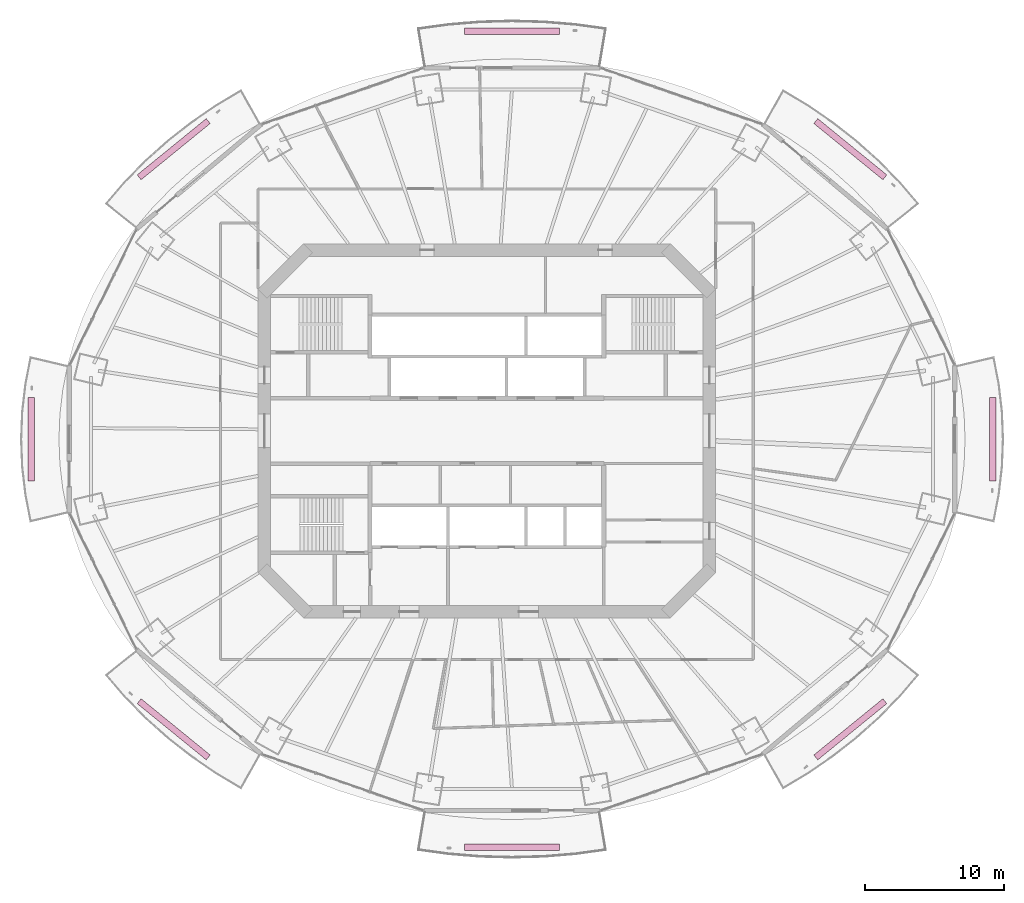
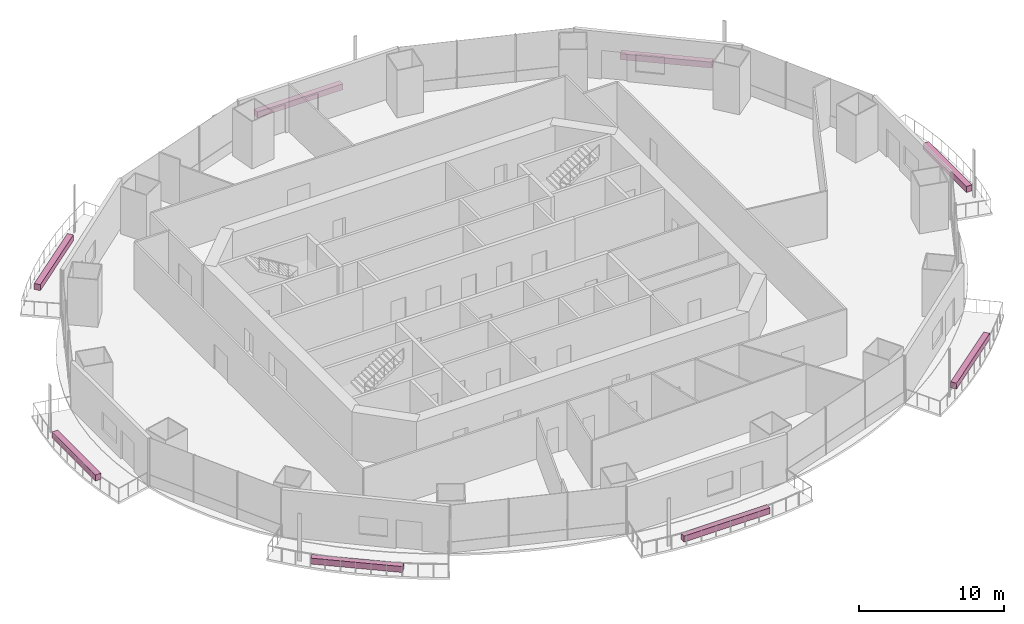
# One storey, part 20 of 20: 8 furnishings.
"""IFC4 building model written with IfcOpenShell, lengths in metres."""

from ifc_helpers import new_model, si_unit, direction, frame, origin, origin_2d, place, context, subcontext, project, spatial, rectangle, extrude, material, type_object, element, save


model = new_model("IFC4")

# Units and contexts
model_context = context("Model", 3, precision=1e-05, world=origin(), true_north=direction((0.0, 1.0)))
body_context = subcontext(model_context, "Body", "Model", "MODEL_VIEW")
ifc_project = project(units=[si_unit("LENGTHUNIT", "METRE"), si_unit("AREAUNIT", "SQUARE_METRE"), si_unit("VOLUMEUNIT", "CUBIC_METRE"), si_unit("PLANEANGLEUNIT", "RADIAN"), si_unit("MASSUNIT", "GRAM", prefix="KILO")], contexts=[model_context])

# Site, building, storey
site_placement = place(None, origin())
site = spatial("IfcSite", under=ifc_project, at=site_placement, CompositionType="ELEMENT")
building_placement = place(site_placement, origin())
building = spatial("IfcBuilding", under=site, at=building_placement, Name="Marenthal Gate Tower", CompositionType="ELEMENT")
storey_placement = place(building_placement, frame((0.0, 0.0, 173.5)))
storey = spatial("IfcBuildingStorey", under=building, at=storey_placement, Name="L37", CompositionType="ELEMENT", Elevation=173.5)

# Furnishings
ifc_material = material(Name="Planting soil and foliage", Category="planting")
furnishing_element_type = type_object("IfcFurnishingElementType", Name="Balcony PLANTER trough", material=ifc_material)
furnishing_1_placement = place(storey_placement, frame((26.127197265625, 20.257080078125, -0.0400390625), z_axis=(0.0, 0.0, 1.0), x_axis=(-0.775288092883, 0.631607768345, 0.0)))
element("IfcFurnishingElement", 1, at=furnishing_1_placement, inside=storey, type_object=furnishing_element_type, Name="Balcony PLANTER L37 bay 2", ObjectType="PLANTER", context=body_context, shape_type="SweptSolid", body=[
    extrude(rectangle(XDim=6.40625, YDim=0.449951171875, at=origin_2d()), origin(), (0.0, 0.0, 1.0), 0.5),
])
furnishing_2_placement = place(storey_placement, frame((1.800048828125, 28.740966796875, -0.0400390625), z_axis=(0.0, 0.0, 1.0), x_axis=(-1.0, 0.0, 0.0)))
element("IfcFurnishingElement", 2, at=furnishing_2_placement, inside=storey, type_object=furnishing_element_type, Name="Balcony PLANTER L37 bay 4", ObjectType="PLANTER", context=body_context, shape_type="SweptSolid", body=[
    extrude(rectangle(XDim=6.816650390625, YDim=0.449951171875, at=origin_2d()), origin(), (0.0, 0.0, 1.0), 0.5),
])
furnishing_3_placement = place(storey_placement, frame((-22.527099609375, 20.257080078125, -0.0400390625), z_axis=(0.0, 0.0, 1.0), x_axis=(-0.775288092883, -0.631607768345, 0.0)))
element("IfcFurnishingElement", 3, at=furnishing_3_placement, inside=storey, type_object=furnishing_element_type, Name="Balcony PLANTER L37 bay 6", ObjectType="PLANTER", context=body_context, shape_type="SweptSolid", body=[
    extrude(rectangle(XDim=6.40625, YDim=0.449951171875, at=origin_2d()), origin(), (0.0, 0.0, 1.0), 0.5),
])
furnishing_4_placement = place(storey_placement, frame((-32.77197265625, -0.60009765625, -0.0400390625), z_axis=(0.0, 0.0, 1.0), x_axis=(0.0, -1.0, 0.0)))
element("IfcFurnishingElement", 4, at=furnishing_4_placement, inside=storey, type_object=furnishing_element_type, Name="Balcony PLANTER L37 bay 8", ObjectType="PLANTER", context=body_context, shape_type="SweptSolid", body=[
    extrude(rectangle(XDim=5.98046875, YDim=0.449951171875, at=origin_2d()), origin(), (0.0, 0.0, 1.0), 0.5),
])
furnishing_5_placement = place(storey_placement, frame((-22.527099609375, -21.45703125, -0.0400390625), z_axis=(0.0, 0.0, 1.0), x_axis=(0.775288092883, -0.631607768345, 0.0)))
element("IfcFurnishingElement", 5, at=furnishing_5_placement, inside=storey, type_object=furnishing_element_type, Name="Balcony PLANTER L37 bay 10", ObjectType="PLANTER", context=body_context, shape_type="SweptSolid", body=[
    extrude(rectangle(XDim=6.40625, YDim=0.449951171875, at=origin_2d()), origin(), (0.0, 0.0, 1.0), 0.5),
])
furnishing_6_placement = place(storey_placement, frame((1.800048828125, -29.94091796875, -0.0400390625), z_axis=(0.0, 0.0, 1.0), x_axis=(1.0, 0.0, 0.0)))
element("IfcFurnishingElement", 6, at=furnishing_6_placement, inside=storey, type_object=furnishing_element_type, Name="Balcony PLANTER L37 bay 12", ObjectType="PLANTER", context=body_context, shape_type="SweptSolid", body=[
    extrude(rectangle(XDim=6.816650390625, YDim=0.449951171875, at=origin_2d()), origin(), (0.0, 0.0, 1.0), 0.5),
])
furnishing_7_placement = place(storey_placement, frame((26.127197265625, -21.45703125, -0.0400390625), z_axis=(0.0, 0.0, 1.0), x_axis=(0.775288092883, 0.631607768345, 0.0)))
element("IfcFurnishingElement", 7, at=furnishing_7_placement, inside=storey, type_object=furnishing_element_type, Name="Balcony PLANTER L37 bay 14", ObjectType="PLANTER", context=body_context, shape_type="SweptSolid", body=[
    extrude(rectangle(XDim=6.40625, YDim=0.449951171875, at=origin_2d()), origin(), (0.0, 0.0, 1.0), 0.5),
])
furnishing_8_placement = place(storey_placement, frame((36.3720703125, -0.60009765625, -0.0400390625), z_axis=(0.0, 0.0, 1.0), x_axis=(0.0, 1.0, 0.0)))
element("IfcFurnishingElement", 8, at=furnishing_8_placement, inside=storey, type_object=furnishing_element_type, Name="Balcony PLANTER L37 bay 16", ObjectType="PLANTER", context=body_context, shape_type="SweptSolid", body=[
    extrude(rectangle(XDim=5.98046875, YDim=0.449951171875, at=origin_2d()), origin(), (0.0, 0.0, 1.0), 0.5),
])

save(model, "model.ifc")
